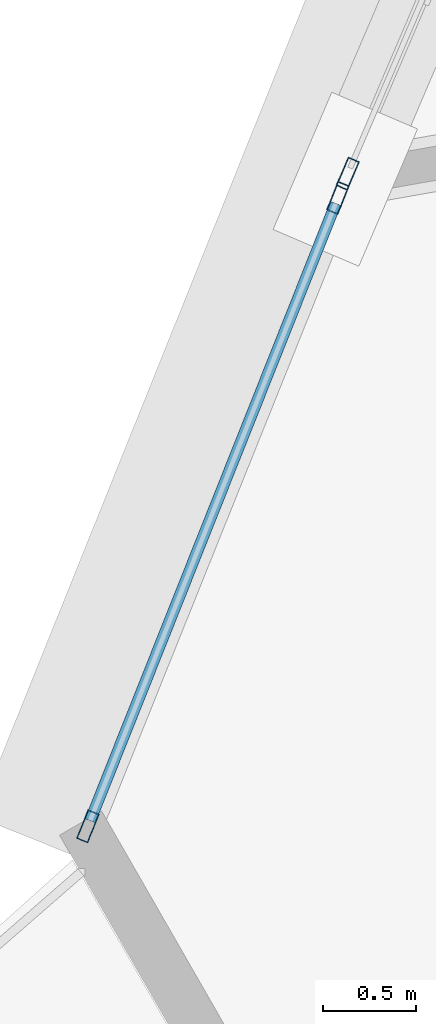
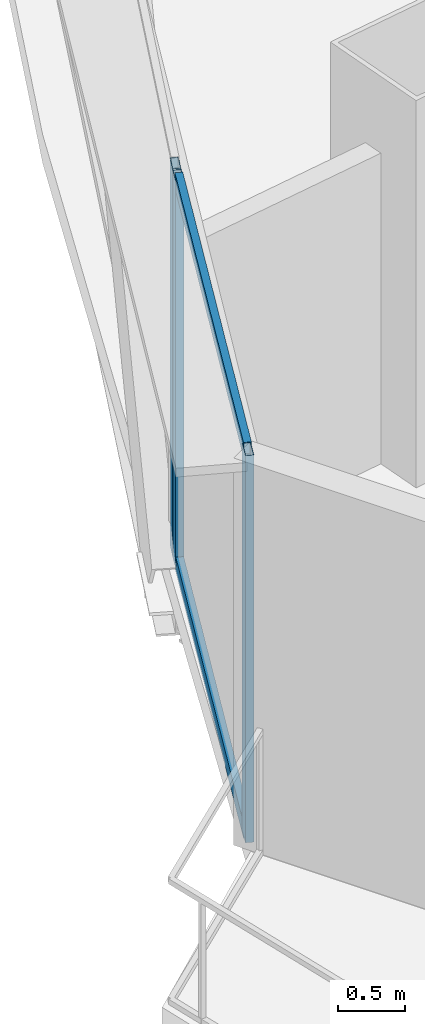
# One storey, part 4 of 38: 5 members, 2 elements without a shape of their own.
"""IFC4 building model written with IfcOpenShell, lengths in metres."""

from ifc_helpers import new_model, si_unit, direction, frame, origin, origin_2d, place, context, subcontext, project, spatial, hollow_rectangle, extrude, source, transform, mapped, material, layer, layer_set, material_profile, profile_set, type_object, element, aggregate, save


model = new_model("IFC4")

# Units and contexts
model_context = context("Model", 3, precision=1e-05, world=origin(), true_north=direction((0.0, 1.0)))
body_context = subcontext(model_context, "Body", "Model", "MODEL_VIEW")
ifc_project = project(units=[si_unit("LENGTHUNIT", "METRE"), si_unit("AREAUNIT", "SQUARE_METRE"), si_unit("VOLUMEUNIT", "CUBIC_METRE"), si_unit("PLANEANGLEUNIT", "RADIAN"), si_unit("MASSUNIT", "GRAM", prefix="KILO"), si_unit("THERMODYNAMICTEMPERATUREUNIT", "KELVIN"), si_unit("POWERUNIT", "WATT")], contexts=[model_context])

# Site, building, storey
site_placement = place(None, origin())
site = spatial("IfcSite", under=ifc_project, at=site_placement, CompositionType="ELEMENT")
building_placement = place(site_placement, origin())
building = spatial("IfcBuilding", under=site, at=building_placement, Name="Yunzhuo Pagoda Commons", CompositionType="ELEMENT")
storey_placement = place(building_placement, frame((0.0, 0.0, 81.179931640625)))
storey = spatial("IfcBuildingStorey", under=building, at=storey_placement, Name="L20", CompositionType="ELEMENT", Elevation=81.179931640625)

# Curtain wall, member
ifc_material = material(Name="Anodized aluminium 6063-T6", Category="aluminium")
ifc_layer = layer(ifc_material, 0.1650390625)
ifc_layer_set = layer_set([ifc_layer], Name="Anodized aluminium 6063-T6")
curtain_wall_type = type_object("IfcCurtainWallType", Name="CW-LOW Low-Zone Ribbon Curtain Wall", PredefinedType="NOTDEFINED", material=ifc_layer_set)
curtain_wall_1_placement = place(storey_placement, origin())
curtain_wall_1 = element("IfcCurtainWall", 1, at=curtain_wall_1_placement, inside=storey, type_object=curtain_wall_type, Name="L20 curtain wall CW-L20-F3B4", PredefinedType="NOTDEFINED")
ifc_material_profile_1 = material_profile(ifc_material, hollow_rectangle(XDim=0.06494140625, YDim=0.1650390625, WallThickness=0.00390625, at=origin_2d()), Name="Anodized aluminium 6063-T6")
ifc_profile_set_1 = profile_set([ifc_material_profile_1], Name="Anodized aluminium 6063-T6")
member_type_1 = type_object("IfcMemberType", Name="CW-LOW-M Mullion RHS 165x65x4", PredefinedType="MULLION", material=ifc_profile_set_1)
shared_shape_1 = source(origin(), body_context, "Body", "SweptSolid", [
    extrude(hollow_rectangle(XDim=0.06494140625, YDim=0.1650390625, WallThickness=0.00390625, at=origin_2d()), origin(), (0.0, 0.0, 1.0), 3.5400390625),
])
member_1_placement = place(storey_placement, frame((7.270263671875, 26.545654296875, 0.0), z_axis=(0.0, 0.0, 1.0), x_axis=(0.919250024103, -0.39367422215, 0.0)))
member_1 = element("IfcMember", 2, at=member_1_placement, type_object=member_type_1, Name="CW mullion 2", PredefinedType="MULLION", context=body_context, shape_type="MappedRepresentation", body=[
    mapped(shared_shape_1, transform((0.0, 0.0, 0.0), scale=1.0)),
])
aggregate(curtain_wall_1, [member_1])

# Curtain wall, members
curtain_wall_2_placement = place(storey_placement, origin())
curtain_wall_2 = element("IfcCurtainWall", 3, at=curtain_wall_2_placement, inside=storey, type_object=curtain_wall_type, Name="L20 curtain wall CW-L20-F3B5", PredefinedType="NOTDEFINED")
member_2_placement = place(storey_placement, frame((7.217529296875, 26.416015625, 0.0), z_axis=(0.0, 0.0, 1.0), x_axis=(0.929170333828, -0.369651850711, 0.0)))
member_2 = element("IfcMember", 4, at=member_2_placement, type_object=member_type_1, Name="CW mullion 1", PredefinedType="MULLION", context=body_context, shape_type="MappedRepresentation", body=[
    mapped(shared_shape_1, transform((0.0, 0.0, 0.0), scale=1.0)),
])
member_3_placement = place(storey_placement, frame((5.87744140625, 23.0478515625, 0.0), z_axis=(0.0, 0.0, 1.0), x_axis=(0.929170333828, -0.369651850711, 0.0)))
member_3 = element("IfcMember", 5, at=member_3_placement, type_object=member_type_1, Name="CW mullion 2", PredefinedType="MULLION", context=body_context, shape_type="MappedRepresentation", body=[
    mapped(shared_shape_1, transform((0.0, 0.0, 0.0), scale=1.0)),
])
ifc_material_profile_2 = material_profile(ifc_material, hollow_rectangle(XDim=0.06005859375, YDim=0.139892578125, WallThickness=0.00341796875, at=origin_2d()), Name="Anodized aluminium 6063-T6")
ifc_profile_set_2 = profile_set([ifc_material_profile_2], Name="Anodized aluminium 6063-T6")
member_type_2 = type_object("IfcMemberType", Name="CW-LOW-T Transom RHS 140x60x3.5", PredefinedType="USERDEFINED", material=ifc_profile_set_2)
shared_shape_2 = source(origin(), body_context, "Body", "SweptSolid", [
    extrude(hollow_rectangle(XDim=0.06005859375, YDim=0.139892578125, WallThickness=0.00341796875, at=origin_2d()), origin(), (0.0, 0.0, 1.0), 3.56005859375),
])
member_4_placement = place(storey_placement, frame((7.20556640625, 26.3857421875, 0.030029296875), z_axis=(-0.369640073305, -0.929175019147, 0.0), x_axis=(0.929175019147, -0.369640073305, 0.0)))
member_4 = element("IfcMember", 6, at=member_4_placement, type_object=member_type_2, Name="CW transom 1.1", ObjectType="TRANSOM", PredefinedType="USERDEFINED", context=body_context, shape_type="MappedRepresentation", body=[
    mapped(shared_shape_2, transform((0.0, 0.0, 0.0), scale=1.0)),
])
member_5_placement = place(storey_placement, frame((7.20556640625, 26.3857421875, 3.510009765625), z_axis=(-0.369640073305, -0.929175019147, 0.0), x_axis=(0.929175019147, -0.369640073305, 0.0)))
member_5 = element("IfcMember", 7, at=member_5_placement, type_object=member_type_2, Name="CW transom 1.2", ObjectType="TRANSOM", PredefinedType="USERDEFINED", context=body_context, shape_type="MappedRepresentation", body=[
    mapped(shared_shape_2, transform((0.0, 0.0, 0.0), scale=1.0)),
])
aggregate(curtain_wall_2, [member_2, member_3, member_4, member_5])

save(model, "model.ifc")
